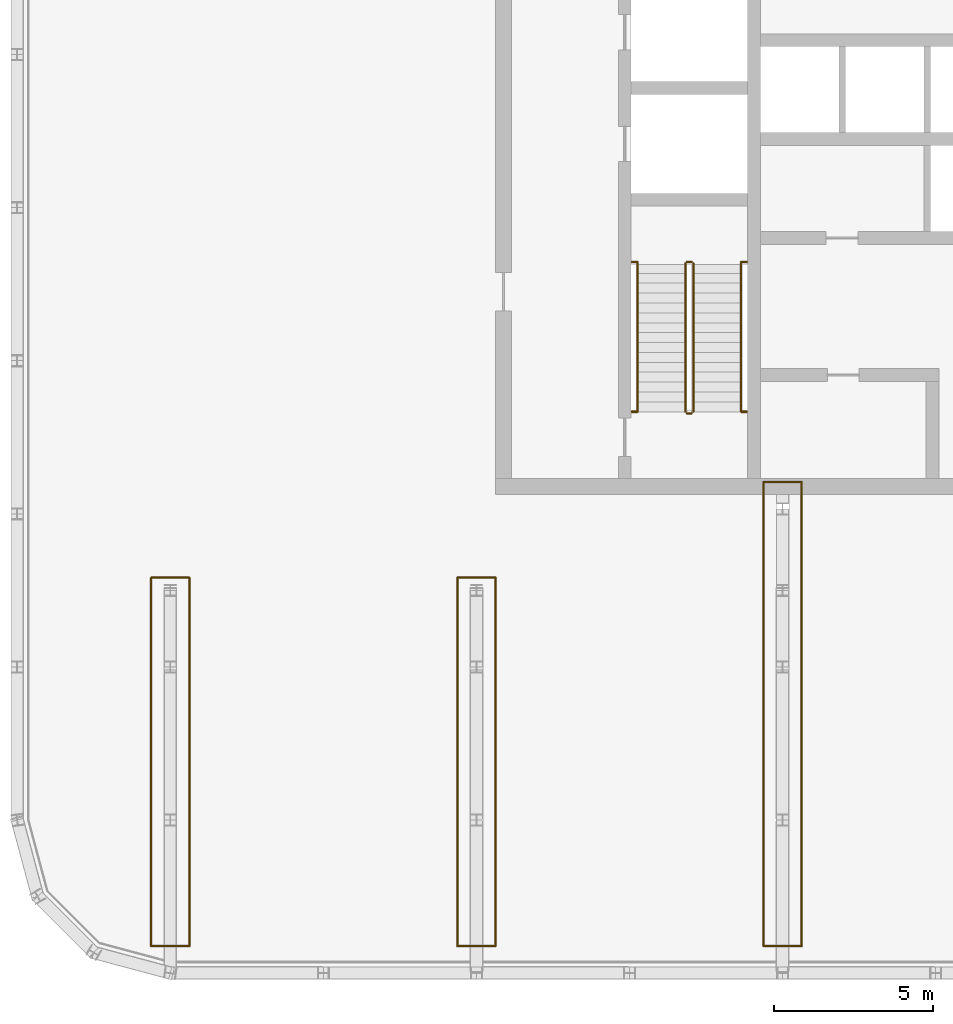
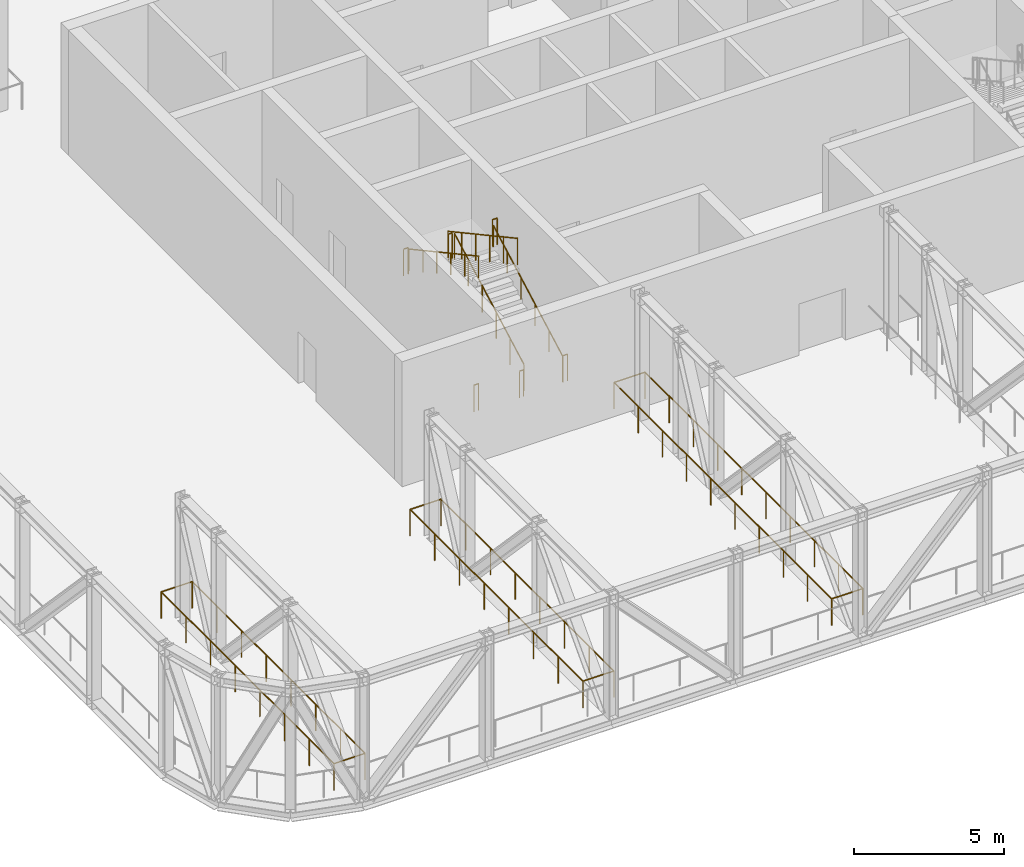
# One storey, part 11 of 16: 22 railings.
"""IFC4 building model written with IfcOpenShell, lengths in metres."""

from ifc_helpers import new_model, si_unit, direction, frame, origin, origin_2d, place, context, subcontext, project, spatial, circle, extrude, material, type_object, element, save


model = new_model("IFC4")

# Units and contexts
model_context = context("Model", 3, precision=1e-05, world=origin(), true_north=direction((0.0, 1.0)))
body_context = subcontext(model_context, "Body", "Model", "MODEL_VIEW")
ifc_project = project(units=[si_unit("LENGTHUNIT", "METRE"), si_unit("AREAUNIT", "SQUARE_METRE"), si_unit("VOLUMEUNIT", "CUBIC_METRE"), si_unit("PLANEANGLEUNIT", "RADIAN"), si_unit("MASSUNIT", "GRAM", prefix="KILO")], contexts=[model_context])

# Site, building, storey
site_placement = place(None, origin())
site = spatial("IfcSite", under=ifc_project, at=site_placement, CompositionType="ELEMENT")
building_placement = place(site_placement, origin())
building = spatial("IfcBuilding", under=site, at=building_placement, Name="Madar Terraces", CompositionType="ELEMENT")
storey_placement = place(building_placement, frame((0.0, 0.0, 263.199951171875)))
storey = spatial("IfcBuildingStorey", under=building, at=storey_placement, Name="L69", CompositionType="ELEMENT", Elevation=263.199951171875)

# Railings
ifc_material_1 = material(Name="Glass, safety glazing, with stainless steel posts", Category="steel")
railing_type_1 = type_object("IfcRailingType", Name="Balcony glass guard 1100", PredefinedType="GUARDRAIL", material=ifc_material_1)
for number, where, name in (
    (1, (4.201904296875, 0.84814453125, 0.0), "Slot guard"),
    (2, (5.398193359375, 0.84814453125, 0.0), "Slot guard"),
):
    element("IfcRailing", number, at=place(storey_placement, frame(where)), inside=storey, type_object=railing_type_1, Name=name, PredefinedType="GUARDRAIL", context=body_context, shape_type="SweptSolid", body=[
        extrude(circle(Radius=0.02392578125, at=origin_2d()), frame((0.0, 0.0, 1.076171875), z_axis=(0.0, 1.0, 0.0), x_axis=(-1.0, 0.0, 0.0)), (0.0, 0.0, 1.0), 11.5498046875),
        extrude(circle(Radius=0.02099609375, at=origin_2d()), origin(), (0.0, 0.0, 1.0), 1.052001953125),
        extrude(circle(Radius=0.02099609375, at=origin_2d()), frame((0.0, 1.64990234375, 0.0)), (0.0, 0.0, 1.0), 1.052001953125),
        extrude(circle(Radius=0.02099609375, at=origin_2d()), frame((0.0, 3.300048828125, 0.0)), (0.0, 0.0, 1.0), 1.052001953125),
        extrude(circle(Radius=0.02099609375, at=origin_2d()), frame((0.0, 4.949951171875, 0.0)), (0.0, 0.0, 1.0), 1.052001953125),
        extrude(circle(Radius=0.02099609375, at=origin_2d()), frame((0.0, 6.599853515625, 0.0)), (0.0, 0.0, 1.0), 1.052001953125),
        extrude(circle(Radius=0.02099609375, at=origin_2d()), frame((0.0, 8.249755859375, 0.0)), (0.0, 0.0, 1.0), 1.052001953125),
        extrude(circle(Radius=0.02099609375, at=origin_2d()), frame((0.0, 9.89990234375, 0.0)), (0.0, 0.0, 1.0), 1.052001953125),
        extrude(circle(Radius=0.02099609375, at=origin_2d()), frame((0.0, 11.5498046875, 0.0)), (0.0, 0.0, 1.0), 1.052001953125),
    ])
for number, where, name in (
    (3, (4.201904296875, 0.84814453125, 0.0), "Slot guard"),
    (4, (4.201904296875, 12.39794921875, 0.0), "Slot guard"),
):
    element("IfcRailing", number, at=place(storey_placement, frame(where)), inside=storey, type_object=railing_type_1, Name=name, PredefinedType="GUARDRAIL", context=body_context, shape_type="SweptSolid", body=[
        extrude(circle(Radius=0.02392578125, at=origin_2d()), frame((0.0, 0.0, 1.076171875), z_axis=(1.0, 0.0, 0.0), x_axis=(0.0, 1.0, 0.0)), (0.0, 0.0, 1.0), 1.1962890625),
        extrude(circle(Radius=0.02099609375, at=origin_2d()), origin(), (0.0, 0.0, 1.0), 1.052001953125),
        extrude(circle(Radius=0.02099609375, at=origin_2d()), frame((1.1962890625, 0.0, 0.0)), (0.0, 0.0, 1.0), 1.052001953125),
    ])
for number, where, name in (
    (5, (13.802001953125, 0.84814453125, 0.0), "Slot guard"),
    (6, (14.998046875, 0.84814453125, 0.0), "Slot guard"),
):
    element("IfcRailing", number, at=place(storey_placement, frame(where)), inside=storey, type_object=railing_type_1, Name=name, PredefinedType="GUARDRAIL", context=body_context, shape_type="SweptSolid", body=[
        extrude(circle(Radius=0.02392578125, at=origin_2d()), frame((0.0, 0.0, 1.076171875), z_axis=(0.0, 1.0, 0.0), x_axis=(-1.0, 0.0, 0.0)), (0.0, 0.0, 1.0), 11.5498046875),
        extrude(circle(Radius=0.02099609375, at=origin_2d()), origin(), (0.0, 0.0, 1.0), 1.052001953125),
        extrude(circle(Radius=0.02099609375, at=origin_2d()), frame((0.0, 1.64990234375, 0.0)), (0.0, 0.0, 1.0), 1.052001953125),
        extrude(circle(Radius=0.02099609375, at=origin_2d()), frame((0.0, 3.300048828125, 0.0)), (0.0, 0.0, 1.0), 1.052001953125),
        extrude(circle(Radius=0.02099609375, at=origin_2d()), frame((0.0, 4.949951171875, 0.0)), (0.0, 0.0, 1.0), 1.052001953125),
        extrude(circle(Radius=0.02099609375, at=origin_2d()), frame((0.0, 6.599853515625, 0.0)), (0.0, 0.0, 1.0), 1.052001953125),
        extrude(circle(Radius=0.02099609375, at=origin_2d()), frame((0.0, 8.249755859375, 0.0)), (0.0, 0.0, 1.0), 1.052001953125),
        extrude(circle(Radius=0.02099609375, at=origin_2d()), frame((0.0, 9.89990234375, 0.0)), (0.0, 0.0, 1.0), 1.052001953125),
        extrude(circle(Radius=0.02099609375, at=origin_2d()), frame((0.0, 11.5498046875, 0.0)), (0.0, 0.0, 1.0), 1.052001953125),
    ])
for number, where, name in (
    (7, (13.802001953125, 0.84814453125, 0.0), "Slot guard"),
    (8, (13.802001953125, 12.39794921875, 0.0), "Slot guard"),
):
    element("IfcRailing", number, at=place(storey_placement, frame(where)), inside=storey, type_object=railing_type_1, Name=name, PredefinedType="GUARDRAIL", context=body_context, shape_type="SweptSolid", body=[
        extrude(circle(Radius=0.02392578125, at=origin_2d()), frame((0.0, 0.0, 1.076171875), z_axis=(1.0, 0.0, 0.0), x_axis=(0.0, 1.0, 0.0)), (0.0, 0.0, 1.0), 1.196044921875),
        extrude(circle(Radius=0.02099609375, at=origin_2d()), origin(), (0.0, 0.0, 1.0), 1.052001953125),
        extrude(circle(Radius=0.02099609375, at=origin_2d()), frame((1.196044921875, 0.0, 0.0)), (0.0, 0.0, 1.0), 1.052001953125),
    ])
for number, where, name in (
    (9, (23.40185546875, 0.84814453125, 0.0), "Slot guard"),
    (10, (24.59814453125, 0.84814453125, 0.0), "Slot guard"),
):
    element("IfcRailing", number, at=place(storey_placement, frame(where)), inside=storey, type_object=railing_type_1, Name=name, PredefinedType="GUARDRAIL", context=body_context, shape_type="SweptSolid", body=[
        extrude(circle(Radius=0.02392578125, at=origin_2d()), frame((0.0, 0.0, 1.076171875), z_axis=(0.0, 1.0, 0.0), x_axis=(-1.0, 0.0, 0.0)), (0.0, 0.0, 1.0), 14.5498046875),
        extrude(circle(Radius=0.02099609375, at=origin_2d()), origin(), (0.0, 0.0, 1.0), 1.052001953125),
        extrude(circle(Radius=0.02099609375, at=origin_2d()), frame((0.0, 1.61669921875, 0.0)), (0.0, 0.0, 1.0), 1.052001953125),
        extrude(circle(Radius=0.02099609375, at=origin_2d()), frame((0.0, 3.2333984375, 0.0)), (0.0, 0.0, 1.0), 1.052001953125),
        extrude(circle(Radius=0.02099609375, at=origin_2d()), frame((0.0, 4.849853515625, 0.0)), (0.0, 0.0, 1.0), 1.052001953125),
        extrude(circle(Radius=0.02099609375, at=origin_2d()), frame((0.0, 6.466552734375, 0.0)), (0.0, 0.0, 1.0), 1.052001953125),
        extrude(circle(Radius=0.02099609375, at=origin_2d()), frame((0.0, 8.083251953125, 0.0)), (0.0, 0.0, 1.0), 1.052001953125),
        extrude(circle(Radius=0.02099609375, at=origin_2d()), frame((0.0, 9.699951171875, 0.0)), (0.0, 0.0, 1.0), 1.052001953125),
        extrude(circle(Radius=0.02099609375, at=origin_2d()), frame((0.0, 11.31640625, 0.0)), (0.0, 0.0, 1.0), 1.052001953125),
        extrude(circle(Radius=0.02099609375, at=origin_2d()), frame((0.0, 12.93310546875, 0.0)), (0.0, 0.0, 1.0), 1.052001953125),
        extrude(circle(Radius=0.02099609375, at=origin_2d()), frame((0.0, 14.5498046875, 0.0)), (0.0, 0.0, 1.0), 1.052001953125),
    ])
for number, where, name in (
    (11, (23.40185546875, 0.84814453125, 0.0), "Slot guard"),
    (12, (23.40185546875, 15.39794921875, 0.0), "Slot guard"),
):
    element("IfcRailing", number, at=place(storey_placement, frame(where)), inside=storey, type_object=railing_type_1, Name=name, PredefinedType="GUARDRAIL", context=body_context, shape_type="SweptSolid", body=[
        extrude(circle(Radius=0.02392578125, at=origin_2d()), frame((0.0, 0.0, 1.076171875), z_axis=(1.0, 0.0, 0.0), x_axis=(0.0, 1.0, 0.0)), (0.0, 0.0, 1.0), 1.1962890625),
        extrude(circle(Radius=0.02099609375, at=origin_2d()), origin(), (0.0, 0.0, 1.0), 1.052001953125),
        extrude(circle(Radius=0.02099609375, at=origin_2d()), frame((1.1962890625, 0.0, 0.0)), (0.0, 0.0, 1.0), 1.052001953125),
    ])
ifc_material_2 = material(Name="Stainless steel railing", Category="steel")
railing_type_2 = type_object("IfcRailingType", Name="Stair guard 1100", PredefinedType="GUARDRAIL", material=ifc_material_2)
railing_1_placement = place(storey_placement, frame((21.199951171875, 17.60009765625, 0.168701171875)))
element("IfcRailing", 13, at=railing_1_placement, inside=storey, type_object=railing_type_2, Name="L69 ST1 stair guard 1", PredefinedType="GUARDRAIL", context=body_context, shape_type="SweptSolid", body=[
    extrude(circle(Radius=0.02392578125, at=origin_2d()), frame((0.0, 0.0, 1.076171875), z_axis=(0.0, 0.878297076953, 0.478115304728), x_axis=(-1.0, 0.0, 0.0)), (0.0, 0.0, 1.0), 5.294189453125),
    extrude(circle(Radius=0.02099609375, at=origin_2d()), origin(), (0.0, 0.0, 1.0), 1.052001953125),
    extrude(circle(Radius=0.02099609375, at=origin_2d()), frame((0.0, 0.929931640625, 0.50634765625)), (0.0, 0.0, 1.0), 1.052001953125),
    extrude(circle(Radius=0.02099609375, at=origin_2d()), frame((0.0, 1.85986328125, 1.012451171875)), (0.0, 0.0, 1.0), 1.052001953125),
    extrude(circle(Radius=0.02099609375, at=origin_2d()), frame((0.0, 2.7900390625, 1.518798828125)), (0.0, 0.0, 1.0), 1.052001953125),
    extrude(circle(Radius=0.02099609375, at=origin_2d()), frame((0.0, 3.719970703125, 2.02490234375)), (0.0, 0.0, 1.0), 1.052001953125),
    extrude(circle(Radius=0.02099609375, at=origin_2d()), frame((0.0, 4.64990234375, 2.53125)), (0.0, 0.0, 1.0), 1.052001953125),
])
railing_2_placement = place(storey_placement, frame((21.14990234375, 22.300048828125, 2.699951171875)))
element("IfcRailing", 14, at=railing_2_placement, inside=storey, type_object=railing_type_2, Name="L69 ST1 stair guard 2", PredefinedType="GUARDRAIL", context=body_context, shape_type="SweptSolid", body=[
    extrude(circle(Radius=0.02392578125, at=origin_2d()), frame((0.0, 0.0, 1.076171875), z_axis=(-1.0, 0.0, 0.0), x_axis=(0.0, -1.0, 0.0)), (0.0, 0.0, 1.0), 0.14990234375),
    extrude(circle(Radius=0.02099609375, at=origin_2d()), origin(), (0.0, 0.0, 1.0), 1.052001953125),
    extrude(circle(Radius=0.02099609375, at=origin_2d()), frame((-0.14990234375, 0.0, 0.0)), (0.0, 0.0, 1.0), 1.052001953125),
])
railing_3_placement = place(storey_placement, frame((20.949951171875, 22.25, 2.868896484375)))
element("IfcRailing", 15, at=railing_3_placement, inside=storey, type_object=railing_type_2, Name="L69 ST1 stair guard 3", PredefinedType="GUARDRAIL", context=body_context, shape_type="SweptSolid", body=[
    extrude(circle(Radius=0.02392578125, at=origin_2d()), frame((0.0, 0.0, 1.076171875), z_axis=(0.0, -0.878297076953, 0.478115304728), x_axis=(1.0, 0.0, 0.0)), (0.0, 0.0, 1.0), 5.294189453125),
    extrude(circle(Radius=0.02099609375, at=origin_2d()), origin(), (0.0, 0.0, 1.0), 1.052001953125),
    extrude(circle(Radius=0.02099609375, at=origin_2d()), frame((0.0, -0.929931640625, 0.50634765625)), (0.0, 0.0, 1.0), 1.052001953125),
    extrude(circle(Radius=0.02099609375, at=origin_2d()), frame((0.0, -1.85986328125, 1.012451171875)), (0.0, 0.0, 1.0), 1.052001953125),
    extrude(circle(Radius=0.02099609375, at=origin_2d()), frame((0.0, -2.7900390625, 1.518798828125)), (0.0, 0.0, 1.0), 1.052001953125),
    extrude(circle(Radius=0.02099609375, at=origin_2d()), frame((0.0, -3.719970703125, 2.02490234375)), (0.0, 0.0, 1.0), 1.052001953125),
    extrude(circle(Radius=0.02099609375, at=origin_2d()), frame((0.0, -4.64990234375, 2.53125)), (0.0, 0.0, 1.0), 1.052001953125),
])
railing_4_placement = place(storey_placement, frame((21.14990234375, 17.550048828125, 0.0)))
element("IfcRailing", 16, at=railing_4_placement, inside=storey, type_object=railing_type_2, Name="L69 ST1 stair guard 4", PredefinedType="GUARDRAIL", context=body_context, shape_type="SweptSolid", body=[
    extrude(circle(Radius=0.02392578125, at=origin_2d()), frame((0.0, 0.0, 1.076171875), z_axis=(-1.0, 0.0, 0.0), x_axis=(0.0, -1.0, 0.0)), (0.0, 0.0, 1.0), 0.14990234375),
    extrude(circle(Radius=0.02099609375, at=origin_2d()), origin(), (0.0, 0.0, 1.0), 1.052001953125),
    extrude(circle(Radius=0.02099609375, at=origin_2d()), frame((-0.14990234375, 0.0, 0.0)), (0.0, 0.0, 1.0), 1.052001953125),
])
for number, where, name in (
    (17, (19.27001953125, 22.300048828125, 2.699951171875), "L69 stair guard seat 1"),
    (18, (22.699951171875, 22.300048828125, 2.699951171875), "L69 stair guard seat 2"),
    (19, (19.27001953125, 17.60009765625, 0.0), "L69 stair guard floor 1"),
    (20, (22.699951171875, 17.60009765625, 0.0), "L69 stair guard floor 2"),
):
    element("IfcRailing", number, at=place(storey_placement, frame(where)), inside=storey, type_object=railing_type_2, Name=name, PredefinedType="GUARDRAIL", context=body_context, shape_type="SweptSolid", body=[
        extrude(circle(Radius=0.02392578125, at=origin_2d()), frame((0.0, 0.0, 1.076171875), z_axis=(1.0, 0.0, 0.0), x_axis=(0.0, 1.0, 0.0)), (0.0, 0.0, 1.0), 0.179931640625),
        extrude(circle(Radius=0.02099609375, at=origin_2d()), origin(), (0.0, 0.0, 1.0), 1.052001953125),
        extrude(circle(Radius=0.02099609375, at=origin_2d()), frame((0.179931640625, 0.0, 0.0)), (0.0, 0.0, 1.0), 1.052001953125),
    ])
ifc_material_3 = material(Name="Stainless steel railing", Category="steel")
railing_type_3 = type_object("IfcRailingType", Name="Stair handrail 900", PredefinedType="HANDRAIL", material=ifc_material_3)
railing_5_placement = place(storey_placement, frame((22.699951171875, 17.60009765625, 0.168701171875)))
element("IfcRailing", 21, at=railing_5_placement, inside=storey, type_object=railing_type_3, Name="L69 ST1 stair handrail 1", PredefinedType="HANDRAIL", context=body_context, shape_type="SweptSolid", body=[
    extrude(circle(Radius=0.02392578125, at=origin_2d()), frame((0.0, 0.0, 0.8759765625), z_axis=(0.0, 0.878297076953, 0.478115304728), x_axis=(-1.0, 0.0, 0.0)), (0.0, 0.0, 1.0), 5.294189453125),
    extrude(circle(Radius=0.02099609375, at=origin_2d()), origin(), (0.0, 0.0, 1.0), 0.851806640625),
    extrude(circle(Radius=0.02099609375, at=origin_2d()), frame((0.0, 0.929931640625, 0.50634765625)), (0.0, 0.0, 1.0), 0.851806640625),
    extrude(circle(Radius=0.02099609375, at=origin_2d()), frame((0.0, 1.85986328125, 1.012451171875)), (0.0, 0.0, 1.0), 0.851806640625),
    extrude(circle(Radius=0.02099609375, at=origin_2d()), frame((0.0, 2.7900390625, 1.518798828125)), (0.0, 0.0, 1.0), 0.851806640625),
    extrude(circle(Radius=0.02099609375, at=origin_2d()), frame((0.0, 3.719970703125, 2.02490234375)), (0.0, 0.0, 1.0), 0.851806640625),
    extrude(circle(Radius=0.02099609375, at=origin_2d()), frame((0.0, 4.64990234375, 2.53125)), (0.0, 0.0, 1.0), 0.851806640625),
])
railing_6_placement = place(storey_placement, frame((19.449951171875, 22.25, 2.868896484375)))
element("IfcRailing", 22, at=railing_6_placement, inside=storey, type_object=railing_type_3, Name="L69 ST1 stair handrail 2", PredefinedType="HANDRAIL", context=body_context, shape_type="SweptSolid", body=[
    extrude(circle(Radius=0.02392578125, at=origin_2d()), frame((0.0, 0.0, 0.8759765625), z_axis=(0.0, -0.878297076953, 0.478115304728), x_axis=(1.0, 0.0, 0.0)), (0.0, 0.0, 1.0), 5.294189453125),
    extrude(circle(Radius=0.02099609375, at=origin_2d()), origin(), (0.0, 0.0, 1.0), 0.851806640625),
    extrude(circle(Radius=0.02099609375, at=origin_2d()), frame((0.0, -0.929931640625, 0.50634765625)), (0.0, 0.0, 1.0), 0.851806640625),
    extrude(circle(Radius=0.02099609375, at=origin_2d()), frame((0.0, -1.85986328125, 1.012451171875)), (0.0, 0.0, 1.0), 0.851806640625),
    extrude(circle(Radius=0.02099609375, at=origin_2d()), frame((0.0, -2.7900390625, 1.518798828125)), (0.0, 0.0, 1.0), 0.851806640625),
    extrude(circle(Radius=0.02099609375, at=origin_2d()), frame((0.0, -3.719970703125, 2.02490234375)), (0.0, 0.0, 1.0), 0.851806640625),
    extrude(circle(Radius=0.02099609375, at=origin_2d()), frame((0.0, -4.64990234375, 2.53125)), (0.0, 0.0, 1.0), 0.851806640625),
])

save(model, "model.ifc")
